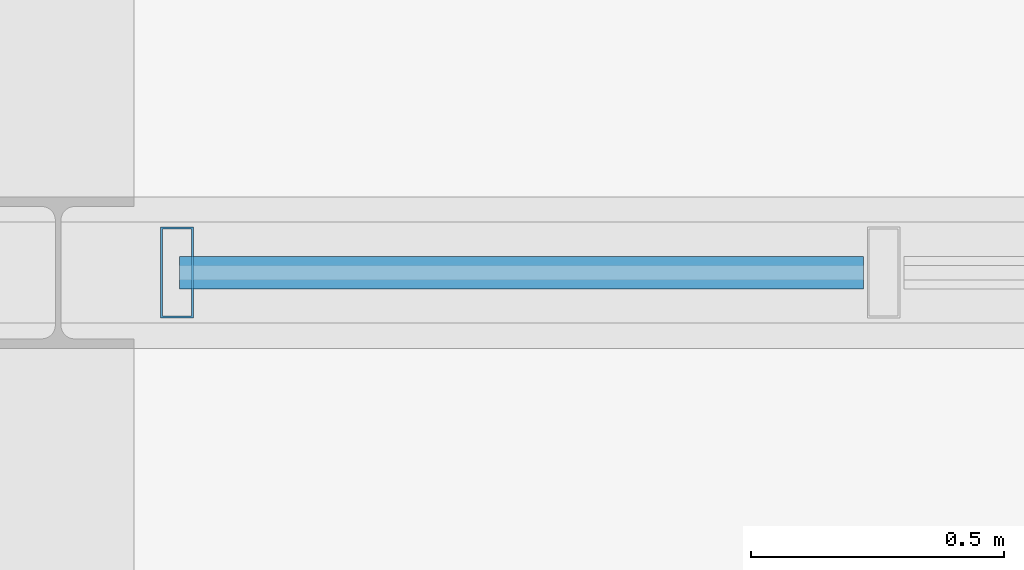
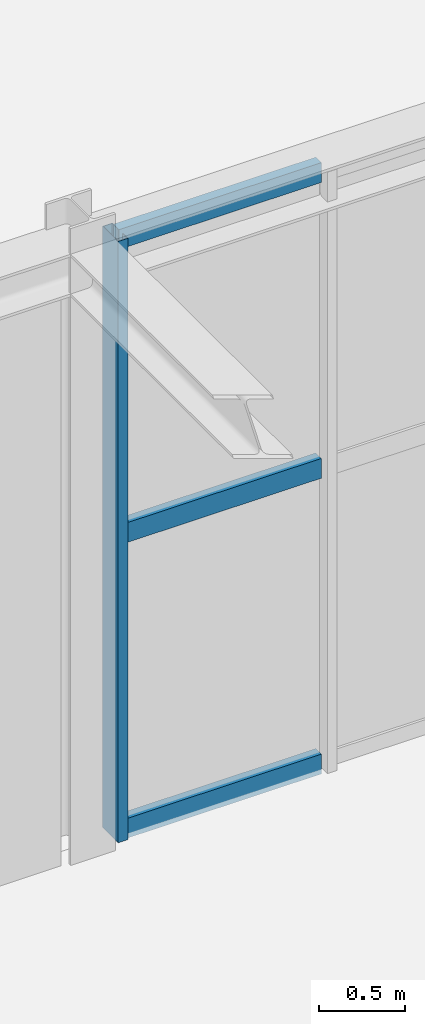
# One storey, part 64 of 152: 4 members, 1 element without a shape of its own.
"""IFC4 building model written with IfcOpenShell, lengths in metres."""

from ifc_helpers import new_model, si_unit, derived_unit, direction, frame, origin, origin_2d, place, context, subcontext, project, spatial, hollow_rectangle, extrude, material, material_profile, profile_set, type_object, element, aggregate, save


model = new_model("IFC4")

# Units and contexts
model_context = context("Model", 3, precision=1e-05, world=origin(), true_north=direction((0.0, 1.0)))
body_context = subcontext(model_context, "Body", "Model", "MODEL_VIEW")
ifc_project = project(units=[si_unit("LENGTHUNIT", "METRE"), si_unit("AREAUNIT", "SQUARE_METRE"), si_unit("VOLUMEUNIT", "CUBIC_METRE"), si_unit("PLANEANGLEUNIT", "RADIAN"), si_unit("MASSUNIT", "GRAM", prefix="KILO"), si_unit("THERMODYNAMICTEMPERATUREUNIT", "KELVIN"), si_unit("TIMEUNIT", "SECOND"), derived_unit("THERMALTRANSMITTANCEUNIT", [(si_unit("MASSUNIT", "GRAM", prefix="KILO"), 1), (si_unit("THERMODYNAMICTEMPERATUREUNIT", "KELVIN"), -1), (si_unit("TIMEUNIT", "SECOND"), -3)])], contexts=[model_context])

# Site, building, storey
site_placement = place(None, origin())
site = spatial("IfcSite", under=ifc_project, at=site_placement, CompositionType="ELEMENT")
building_placement = place(site_placement, origin())
building = spatial("IfcBuilding", under=site, at=building_placement, Name="Cambertide Market Hall", CompositionType="ELEMENT")
storey_placement = place(building_placement, frame((0.0, 0.0, 5.39990234375)))
storey = spatial("IfcBuildingStorey", under=building, at=storey_placement, Name="L02", CompositionType="ELEMENT", Elevation=5.39990234375)

# Curtain wall, members
ifc_material_1 = material(Name="Marine Anodized Aluminium 6063-T6 AA25", Category="aluminium")
curtain_wall_type = type_object("IfcCurtainWallType", Name="Herb Tea Pavilion Terrace Glazed Wall", PredefinedType="USERDEFINED", material=ifc_material_1)
curtain_wall_placement = place(storey_placement, origin())
curtain_wall = element("IfcCurtainWall", 1, at=curtain_wall_placement, inside=storey, type_object=curtain_wall_type, Name="Level 2 Curtain Wall CW-V2PAV-N-7", ObjectType="UNITIZED CURTAIN WALL", PredefinedType="USERDEFINED")
ifc_material_2 = material(Name="Champagne Marine Anodized Aluminium 6063-T6 AA25", Category="aluminium")
ifc_material_profile_1 = material_profile(ifc_material_2, hollow_rectangle(XDim=0.06494140625, YDim=0.179931640625, WallThickness=0.00390625, at=origin_2d()), Name="ALU MULLION 65x180")
ifc_profile_set_1 = profile_set([ifc_material_profile_1], Name="Champagne Marine Anodized Aluminium 6063-T6 AA25")
member_type_1 = type_object("IfcMemberType", Name="Curtain Wall Mullion ALU MULLION 65x180", PredefinedType="MULLION", material=ifc_profile_set_1)
member_1_placement = place(storey_placement, frame((75.235107421875, 106.0, 0.0), z_axis=(0.0, 0.0, 1.0), x_axis=(1.0, 0.0, 0.0)))
member_1 = element("IfcMember", 2, at=member_1_placement, type_object=member_type_1, Name="CW-V2PAV-N-7 Mullion 1", PredefinedType="MULLION", context=body_context, shape_type="SweptSolid", body=[
    extrude(hollow_rectangle(XDim=0.06494140625, YDim=0.179931640625, WallThickness=0.00390625, at=origin_2d()), origin(), (0.0, 0.0, 1.0), 4.25),
])
ifc_material_3 = material(Name="Champagne Marine Anodized Aluminium 6063-T6 AA25", Category="aluminium")
ifc_material_profile_2 = material_profile(ifc_material_3, hollow_rectangle(XDim=0.06494140625, YDim=0.139892578125, WallThickness=0.00341796875, at=origin_2d()), Name="ALU TRANSOM 65x140")
ifc_profile_set_2 = profile_set([ifc_material_profile_2], Name="Champagne Marine Anodized Aluminium 6063-T6 AA25")
member_type_2 = type_object("IfcMemberType", Name="Curtain Wall Transom ALU TRANSOM 65x140", PredefinedType="USERDEFINED", material=ifc_profile_set_2)
member_2_placement = place(storey_placement, frame((75.239990234375, 106.0, 0.03515625), z_axis=(1.0, 0.0, 0.0), x_axis=(0.0, 1.0, 0.0)))
member_2 = element("IfcMember", 3, at=member_2_placement, type_object=member_type_2, Name="CW-V2PAV-N-7 Transom 1-1", ObjectType="TRANSOM", PredefinedType="USERDEFINED", context=body_context, shape_type="SweptSolid", body=[
    extrude(hollow_rectangle(XDim=0.06494140625, YDim=0.139892578125, WallThickness=0.00341796875, at=origin_2d()), origin(), (0.0, 0.0, 1.0), 1.353271484375),
])
member_3_placement = place(storey_placement, frame((75.239990234375, 106.0, 2.125), z_axis=(1.0, 0.0, 0.0), x_axis=(0.0, 1.0, 0.0)))
member_3 = element("IfcMember", 4, at=member_3_placement, type_object=member_type_2, Name="CW-V2PAV-N-7 Transom 2-1", ObjectType="TRANSOM", PredefinedType="USERDEFINED", context=body_context, shape_type="SweptSolid", body=[
    extrude(hollow_rectangle(XDim=0.06494140625, YDim=0.139892578125, WallThickness=0.00341796875, at=origin_2d()), origin(), (0.0, 0.0, 1.0), 1.353271484375),
])
member_4_placement = place(storey_placement, frame((75.239990234375, 106.0, 4.215087890625), z_axis=(1.0, 0.0, 0.0), x_axis=(0.0, 1.0, 0.0)))
member_4 = element("IfcMember", 5, at=member_4_placement, type_object=member_type_2, Name="CW-V2PAV-N-7 Transom 3-1", ObjectType="TRANSOM", PredefinedType="USERDEFINED", context=body_context, shape_type="SweptSolid", body=[
    extrude(hollow_rectangle(XDim=0.06494140625, YDim=0.139892578125, WallThickness=0.00341796875, at=origin_2d()), origin(), (0.0, 0.0, 1.0), 1.353271484375),
])
aggregate(curtain_wall, [member_1, member_2, member_3, member_4])

save(model, "model.ifc")
